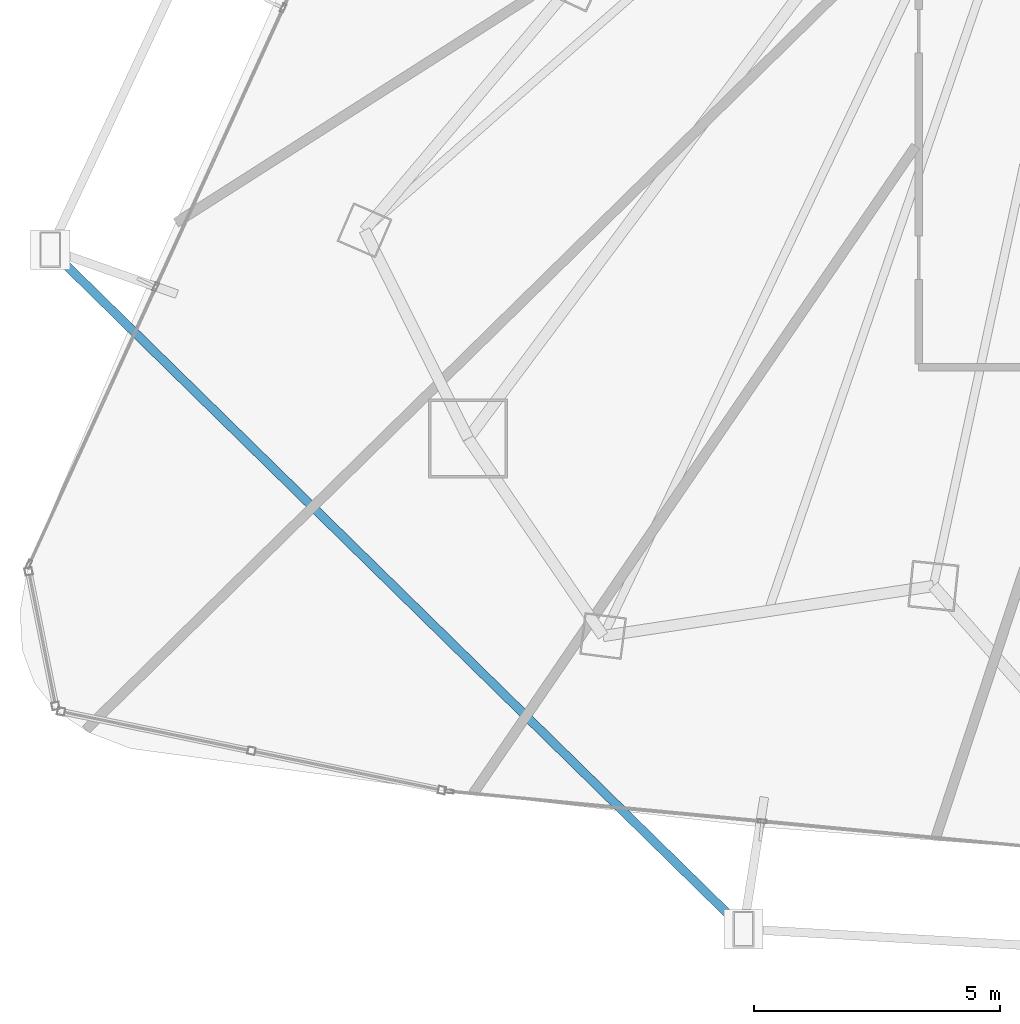
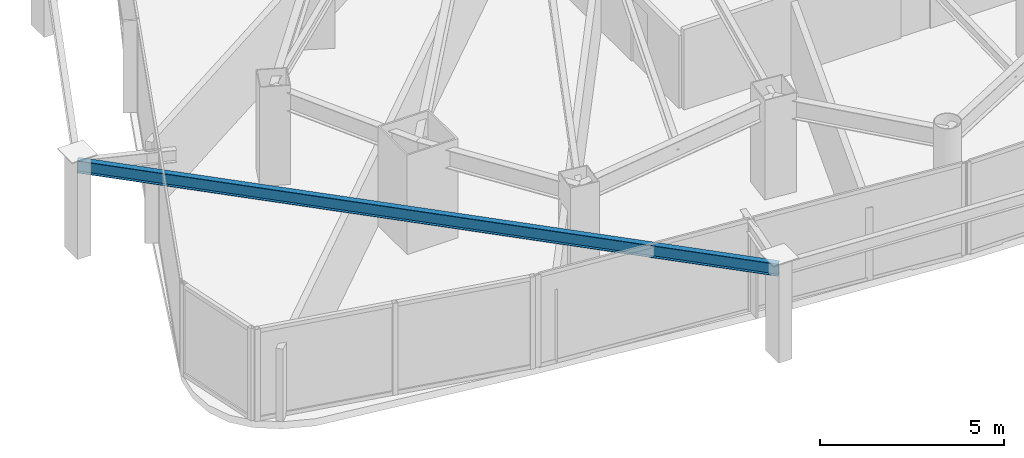
# One storey, part 3 of 33: 1 beam.
"""IFC4 building model written with IfcOpenShell, lengths in metres."""

from ifc_helpers import new_model, si_unit, direction, frame, origin, origin_2d, place, context, subcontext, project, spatial, i_section, extrude, material, material_profile, profile_set, type_object, element, save


model = new_model("IFC4")

# Units and contexts
model_context = context("Model", 3, precision=1e-05, world=origin(), true_north=direction((0.0, 1.0)))
body_context = subcontext(model_context, "Body", "Model", "MODEL_VIEW")
ifc_project = project(units=[si_unit("LENGTHUNIT", "METRE"), si_unit("AREAUNIT", "SQUARE_METRE"), si_unit("VOLUMEUNIT", "CUBIC_METRE"), si_unit("PLANEANGLEUNIT", "RADIAN"), si_unit("MASSUNIT", "GRAM", prefix="KILO")], contexts=[model_context])

# Site, building, storey
site_placement = place(None, origin())
site = spatial("IfcSite", under=ifc_project, at=site_placement, CompositionType="ELEMENT")
building_placement = place(site_placement, origin())
building = spatial("IfcBuilding", under=site, at=building_placement, Name="Orvanel Arch Residences", CompositionType="ELEMENT")
storey_placement = place(building_placement, frame((0.0, 0.0, 70.85009765625)))
storey = spatial("IfcBuildingStorey", under=building, at=storey_placement, Name="L19", CompositionType="ELEMENT", Elevation=70.85009765625)

# Beam
ifc_material = material(Name="Structural steel AS/NZS 3679.1 Grade 300 (300 MPa)", Category="steel")
ifc_material_profile = material_profile(ifc_material, i_section(OverallWidth=0.177978515625, OverallDepth=0.406005859375, WebThickness=0.0078125, FlangeThickness=0.0126953125, at=origin_2d()), Name="410UB59.7")
ifc_profile_set = profile_set([ifc_material_profile], Name="Structural steel AS/NZS 3679.1 Grade 300 (300 MPa)")
beam_type = type_object("IfcBeamType", Name="OB-410UB-EXT", PredefinedType="SPANDREL", material=ifc_profile_set)
beam_placement = place(storey_placement, frame((5.712890625, 14.18603515625, 2.85693359375), z_axis=(0.714148701174, -0.699994023269, 0.0), x_axis=(0.699994023269, 0.714148701174, 0.0)))
element("IfcBeam", 1, at=beam_placement, inside=storey, type_object=beam_type, Name="L19 Outer Perimeter Floor Ring Beam 04", PredefinedType="SPANDREL", context=body_context, shape_type="SweptSolid", body=[
    extrude(i_section(OverallWidth=0.177978515625, OverallDepth=0.406005859375, WebThickness=0.0078125, FlangeThickness=0.0126953125, at=origin_2d()), origin(), (0.0, 0.0, 1.0), 19.714599609375),
])

save(model, "model.ifc")
